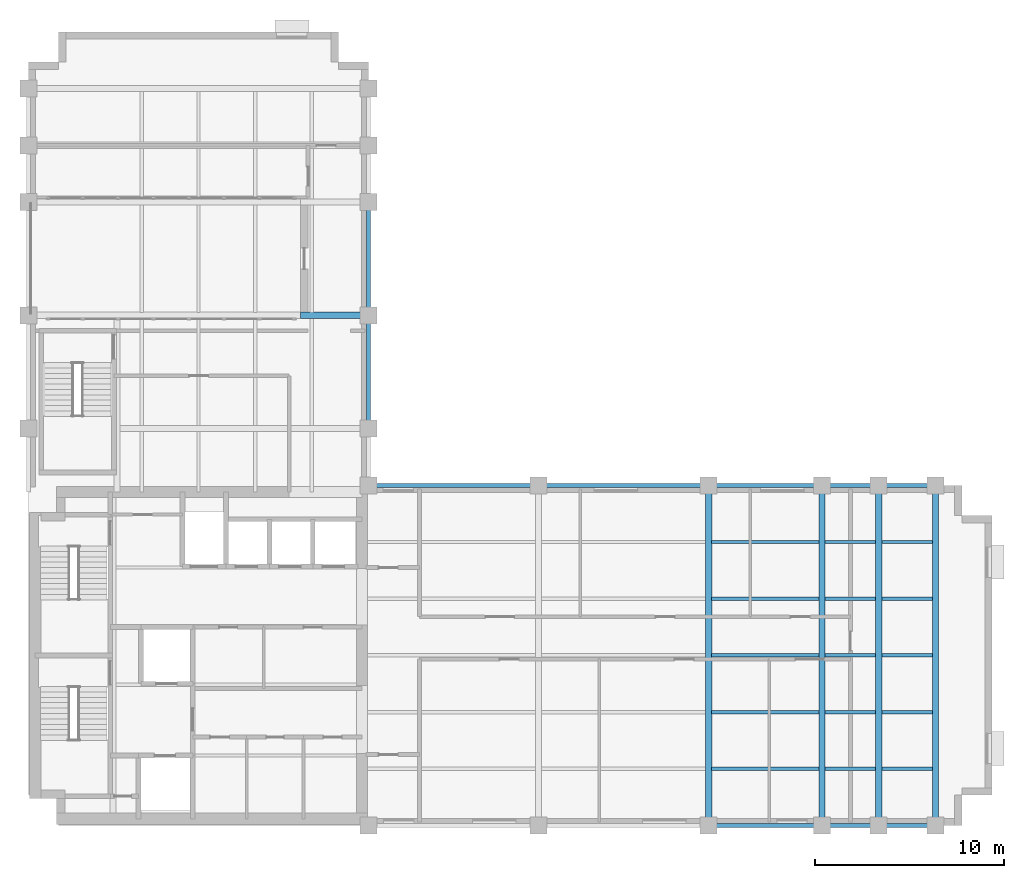
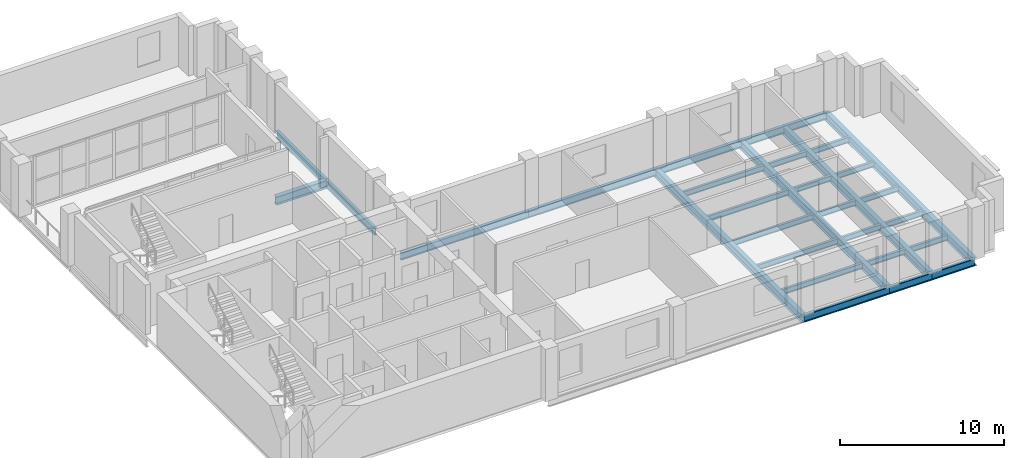
# One storey, part 5 of 11: 30 beams.
"""IFC4 building model written with IfcOpenShell, lengths in metres."""

from ifc_helpers import new_model, si_unit, direction, frame, origin, origin_2d, place, context, subcontext, project, spatial, i_section, extrude, material, material_profile, profile_set, type_object, element, save


model = new_model("IFC4")

# Units and contexts
model_context = context("Model", 3, precision=1e-05, world=origin(), true_north=direction((0.0, 1.0)))
body_context = subcontext(model_context, "Body", "Model", "MODEL_VIEW")
ifc_project = project(units=[si_unit("LENGTHUNIT", "METRE"), si_unit("AREAUNIT", "SQUARE_METRE"), si_unit("VOLUMEUNIT", "CUBIC_METRE"), si_unit("PLANEANGLEUNIT", "RADIAN"), si_unit("MASSUNIT", "GRAM", prefix="KILO")], contexts=[model_context])

# Site, building, storey
site_placement = place(None, origin())
site = spatial("IfcSite", under=ifc_project, at=site_placement, CompositionType="ELEMENT")
building_placement = place(site_placement, origin())
building = spatial("IfcBuilding", under=site, at=building_placement, Name="Mawjdan Bourse Tower", CompositionType="ELEMENT")
storey_placement = place(building_placement, frame((0.0, 0.0, 191.699951171875)))
storey = spatial("IfcBuildingStorey", under=building, at=storey_placement, Name="L46", CompositionType="ELEMENT", Elevation=191.699951171875)

# Beams
ifc_material = material(Name="Structural Steel S355", Category="steel")
ifc_material_profile_1 = material_profile(ifc_material, i_section(OverallWidth=0.324951171875, OverallDepth=0.616943359375, WebThickness=0.013916015625, FlangeThickness=0.021484375, FilletRadius=0.017333984375, at=origin_2d()), Name="W24X117")
ifc_profile_set_1 = profile_set([ifc_material_profile_1], Name="Structural Steel S355")
beam_type_1 = type_object("IfcBeamType", Name="GRD-W24X117", PredefinedType="BEAM", material=ifc_profile_set_1)
for number, where, z_axis, x_axis, name in (
    (1, (42.0, 3.0, -0.508544921875), (0.0, 1.0, 0.0), (-1.0, 0.0, 0.0), "L46 East Wing Clear-Span Girder 003"),
    (2, (48.0, 3.0, -0.508544921875), (0.0, 1.0, 0.0), (-1.0, 0.0, 0.0), "L46 East Wing Clear-Span Girder 004"),
    (3, (51.0, 3.0, -0.508544921875), (0.0, 1.0, 0.0), (-1.0, 0.0, 0.0), "L46 East Wing Clear-Span Girder 005"),
    (4, (54.0, 3.0, -0.508544921875), (0.0, 1.0, 0.0), (-1.0, 0.0, 0.0), "L46 East Wing Clear-Span Girder 006"),
):
    element("IfcBeam", number, at=place(storey_placement, frame(where, z_axis=z_axis, x_axis=x_axis)), inside=storey, type_object=beam_type_1, Name=name, PredefinedType="BEAM", context=body_context, shape_type="SweptSolid", body=[
        extrude(i_section(OverallWidth=0.324951171875, OverallDepth=0.616943359375, WebThickness=0.013916015625, FlangeThickness=0.021484375, FilletRadius=0.017333984375, at=origin_2d()), origin(), (0.0, 0.0, 1.0), 18.0),
    ])
beam_1_placement = place(storey_placement, frame((20.39990234375, 30.0, -0.508544921875), z_axis=(1.0, 0.0, 0.0), x_axis=(0.0, 1.0, 0.0)))
element("IfcBeam", 5, at=beam_1_placement, inside=storey, type_object=beam_type_1, Name="L46 North Wing Clear-Span Girder 049", PredefinedType="BEAM", context=body_context, shape_type="SweptSolid", body=[
    extrude(i_section(OverallWidth=0.324951171875, OverallDepth=0.616943359375, WebThickness=0.013916015625, FlangeThickness=0.021484375, FilletRadius=0.017333984375, at=origin_2d()), origin(), (0.0, 0.0, 1.0), 3.60009765625),
])
ifc_material_profile_2 = material_profile(ifc_material, i_section(OverallWidth=0.177978515625, OverallDepth=0.406982421875, WebThickness=0.0078125, FlangeThickness=0.0126953125, FilletRadius=0.01025390625, at=origin_2d()), Name="W16X40")
ifc_profile_set_2 = profile_set([ifc_material_profile_2], Name="Structural Steel S355")
beam_type_2 = type_object("IfcBeamType", Name="JST-W16X40", PredefinedType="JOIST", material=ifc_profile_set_2)
beam_2_placement = place(storey_placement, frame((42.160400390625, 6.0, -0.403564453125), z_axis=(1.0, 0.0, 0.0), x_axis=(0.0, 1.0, 0.0)))
element("IfcBeam", 6, at=beam_2_placement, inside=storey, type_object=beam_type_2, Name="L46 East Wing Composite Joist 019", PredefinedType="JOIST", context=body_context, shape_type="SweptSolid", body=[
    extrude(i_section(OverallWidth=0.177978515625, OverallDepth=0.406982421875, WebThickness=0.0078125, FlangeThickness=0.0126953125, FilletRadius=0.01025390625, at=origin_2d()), origin(), (0.0, 0.0, 1.0), 5.67919921875),
])
for number, where, z_axis, x_axis, name in (
    (7, (48.160400390625, 6.0, -0.403564453125), (1.0, 0.0, 0.0), (0.0, 1.0, 0.0), "L46 East Wing Composite Joist 020"),
    (8, (51.160400390625, 6.0, -0.403564453125), (1.0, 0.0, 0.0), (0.0, 1.0, 0.0), "L46 East Wing Composite Joist 021"),
):
    element("IfcBeam", number, at=place(storey_placement, frame(where, z_axis=z_axis, x_axis=x_axis)), inside=storey, type_object=beam_type_2, Name=name, PredefinedType="JOIST", context=body_context, shape_type="SweptSolid", body=[
        extrude(i_section(OverallWidth=0.177978515625, OverallDepth=0.406982421875, WebThickness=0.0078125, FlangeThickness=0.0126953125, FilletRadius=0.01025390625, at=origin_2d()), origin(), (0.0, 0.0, 1.0), 2.67919921875),
    ])
beam_3_placement = place(storey_placement, frame((42.160400390625, 9.0, -0.403564453125), z_axis=(1.0, 0.0, 0.0), x_axis=(0.0, 1.0, 0.0)))
element("IfcBeam", 9, at=beam_3_placement, inside=storey, type_object=beam_type_2, Name="L46 East Wing Composite Joist 024", PredefinedType="JOIST", context=body_context, shape_type="SweptSolid", body=[
    extrude(i_section(OverallWidth=0.177978515625, OverallDepth=0.406982421875, WebThickness=0.0078125, FlangeThickness=0.0126953125, FilletRadius=0.01025390625, at=origin_2d()), origin(), (0.0, 0.0, 1.0), 5.67919921875),
])
for number, where, z_axis, x_axis, name in (
    (10, (48.160400390625, 9.0, -0.403564453125), (1.0, 0.0, 0.0), (0.0, 1.0, 0.0), "L46 East Wing Composite Joist 025"),
    (11, (51.160400390625, 9.0, -0.403564453125), (1.0, 0.0, 0.0), (0.0, 1.0, 0.0), "L46 East Wing Composite Joist 026"),
):
    element("IfcBeam", number, at=place(storey_placement, frame(where, z_axis=z_axis, x_axis=x_axis)), inside=storey, type_object=beam_type_2, Name=name, PredefinedType="JOIST", context=body_context, shape_type="SweptSolid", body=[
        extrude(i_section(OverallWidth=0.177978515625, OverallDepth=0.406982421875, WebThickness=0.0078125, FlangeThickness=0.0126953125, FilletRadius=0.01025390625, at=origin_2d()), origin(), (0.0, 0.0, 1.0), 2.67919921875),
    ])
beam_4_placement = place(storey_placement, frame((42.160400390625, 12.0, -0.403564453125), z_axis=(1.0, 0.0, 0.0), x_axis=(0.0, 1.0, 0.0)))
element("IfcBeam", 12, at=beam_4_placement, inside=storey, type_object=beam_type_2, Name="L46 East Wing Composite Joist 029", PredefinedType="JOIST", context=body_context, shape_type="SweptSolid", body=[
    extrude(i_section(OverallWidth=0.177978515625, OverallDepth=0.406982421875, WebThickness=0.0078125, FlangeThickness=0.0126953125, FilletRadius=0.01025390625, at=origin_2d()), origin(), (0.0, 0.0, 1.0), 5.67919921875),
])
for number, where, z_axis, x_axis, name in (
    (13, (48.160400390625, 12.0, -0.403564453125), (1.0, 0.0, 0.0), (0.0, 1.0, 0.0), "L46 East Wing Composite Joist 030"),
    (14, (51.160400390625, 12.0, -0.403564453125), (1.0, 0.0, 0.0), (0.0, 1.0, 0.0), "L46 East Wing Composite Joist 031"),
):
    element("IfcBeam", number, at=place(storey_placement, frame(where, z_axis=z_axis, x_axis=x_axis)), inside=storey, type_object=beam_type_2, Name=name, PredefinedType="JOIST", context=body_context, shape_type="SweptSolid", body=[
        extrude(i_section(OverallWidth=0.177978515625, OverallDepth=0.406982421875, WebThickness=0.0078125, FlangeThickness=0.0126953125, FilletRadius=0.01025390625, at=origin_2d()), origin(), (0.0, 0.0, 1.0), 2.67919921875),
    ])
beam_5_placement = place(storey_placement, frame((42.160400390625, 15.0, -0.403564453125), z_axis=(1.0, 0.0, 0.0), x_axis=(0.0, 1.0, 0.0)))
element("IfcBeam", 15, at=beam_5_placement, inside=storey, type_object=beam_type_2, Name="L46 East Wing Composite Joist 034", PredefinedType="JOIST", context=body_context, shape_type="SweptSolid", body=[
    extrude(i_section(OverallWidth=0.177978515625, OverallDepth=0.406982421875, WebThickness=0.0078125, FlangeThickness=0.0126953125, FilletRadius=0.01025390625, at=origin_2d()), origin(), (0.0, 0.0, 1.0), 5.67919921875),
])
for number, where, z_axis, x_axis, name in (
    (16, (48.160400390625, 15.0, -0.403564453125), (1.0, 0.0, 0.0), (0.0, 1.0, 0.0), "L46 East Wing Composite Joist 035"),
    (17, (51.160400390625, 15.0, -0.403564453125), (1.0, 0.0, 0.0), (0.0, 1.0, 0.0), "L46 East Wing Composite Joist 036"),
):
    element("IfcBeam", number, at=place(storey_placement, frame(where, z_axis=z_axis, x_axis=x_axis)), inside=storey, type_object=beam_type_2, Name=name, PredefinedType="JOIST", context=body_context, shape_type="SweptSolid", body=[
        extrude(i_section(OverallWidth=0.177978515625, OverallDepth=0.406982421875, WebThickness=0.0078125, FlangeThickness=0.0126953125, FilletRadius=0.01025390625, at=origin_2d()), origin(), (0.0, 0.0, 1.0), 2.67919921875),
    ])
beam_6_placement = place(storey_placement, frame((42.160400390625, 18.0, -0.403564453125), z_axis=(1.0, 0.0, 0.0), x_axis=(0.0, 1.0, 0.0)))
element("IfcBeam", 18, at=beam_6_placement, inside=storey, type_object=beam_type_2, Name="L46 East Wing Composite Joist 039", PredefinedType="JOIST", context=body_context, shape_type="SweptSolid", body=[
    extrude(i_section(OverallWidth=0.177978515625, OverallDepth=0.406982421875, WebThickness=0.0078125, FlangeThickness=0.0126953125, FilletRadius=0.01025390625, at=origin_2d()), origin(), (0.0, 0.0, 1.0), 5.67919921875),
])
for number, where, z_axis, x_axis, name in (
    (19, (48.160400390625, 18.0, -0.403564453125), (1.0, 0.0, 0.0), (0.0, 1.0, 0.0), "L46 East Wing Composite Joist 040"),
    (20, (51.160400390625, 18.0, -0.403564453125), (1.0, 0.0, 0.0), (0.0, 1.0, 0.0), "L46 East Wing Composite Joist 041"),
):
    element("IfcBeam", number, at=place(storey_placement, frame(where, z_axis=z_axis, x_axis=x_axis)), inside=storey, type_object=beam_type_2, Name=name, PredefinedType="JOIST", context=body_context, shape_type="SweptSolid", body=[
        extrude(i_section(OverallWidth=0.177978515625, OverallDepth=0.406982421875, WebThickness=0.0078125, FlangeThickness=0.0126953125, FilletRadius=0.01025390625, at=origin_2d()), origin(), (0.0, 0.0, 1.0), 2.67919921875),
    ])
ifc_material_profile_3 = material_profile(ifc_material, i_section(OverallWidth=0.2119140625, OverallDepth=0.5439453125, WebThickness=0.01318359375, FlangeThickness=0.021240234375, FilletRadius=0.01708984375, at=origin_2d()), Name="W21X83")
ifc_profile_set_3 = profile_set([ifc_material_profile_3], Name="Structural Steel S355")
beam_type_3 = type_object("IfcBeamType", Name="SPN-W21X83", PredefinedType="SPANDREL", material=ifc_profile_set_3)
beam_7_placement = place(storey_placement, frame((42.0, 3.0, -0.471923828125), z_axis=(1.0, 0.0, 0.0), x_axis=(0.0, 1.0, 0.0)))
element("IfcBeam", 21, at=beam_7_placement, inside=storey, type_object=beam_type_3, Name="L46 Perimeter Masonry-Shelf Spandrel 009", PredefinedType="SPANDREL", context=body_context, shape_type="SweptSolid", body=[
    extrude(i_section(OverallWidth=0.2119140625, OverallDepth=0.5439453125, WebThickness=0.01318359375, FlangeThickness=0.021240234375, FilletRadius=0.01708984375, at=origin_2d()), origin(), (0.0, 0.0, 1.0), 6.0),
])
for number, where, z_axis, x_axis, name in (
    (22, (48.0, 3.0, -0.471923828125), (1.0, 0.0, 0.0), (0.0, 1.0, 0.0), "L46 Perimeter Masonry-Shelf Spandrel 010"),
    (23, (51.0, 3.0, -0.471923828125), (1.0, 0.0, 0.0), (0.0, 1.0, 0.0), "L46 Perimeter Masonry-Shelf Spandrel 011"),
):
    element("IfcBeam", number, at=place(storey_placement, frame(where, z_axis=z_axis, x_axis=x_axis)), inside=storey, type_object=beam_type_3, Name=name, PredefinedType="SPANDREL", context=body_context, shape_type="SweptSolid", body=[
        extrude(i_section(OverallWidth=0.2119140625, OverallDepth=0.5439453125, WebThickness=0.01318359375, FlangeThickness=0.021240234375, FilletRadius=0.01708984375, at=origin_2d()), origin(), (0.0, 0.0, 1.0), 3.0),
    ])
for number, where, z_axis, x_axis, name in (
    (24, (24.0, 21.0, -0.471923828125), (1.0, 0.0, 0.0), (0.0, 1.0, 0.0), "L46 Perimeter Masonry-Shelf Spandrel 012"),
    (25, (33.0, 21.0, -0.471923828125), (1.0, 0.0, 0.0), (0.0, 1.0, 0.0), "L46 Perimeter Masonry-Shelf Spandrel 013"),
):
    element("IfcBeam", number, at=place(storey_placement, frame(where, z_axis=z_axis, x_axis=x_axis)), inside=storey, type_object=beam_type_3, Name=name, PredefinedType="SPANDREL", context=body_context, shape_type="SweptSolid", body=[
        extrude(i_section(OverallWidth=0.2119140625, OverallDepth=0.5439453125, WebThickness=0.01318359375, FlangeThickness=0.021240234375, FilletRadius=0.01708984375, at=origin_2d()), origin(), (0.0, 0.0, 1.0), 9.0),
    ])
beam_8_placement = place(storey_placement, frame((42.0, 21.0, -0.471923828125), z_axis=(1.0, 0.0, 0.0), x_axis=(0.0, 1.0, 0.0)))
element("IfcBeam", 26, at=beam_8_placement, inside=storey, type_object=beam_type_3, Name="L46 Perimeter Masonry-Shelf Spandrel 014", PredefinedType="SPANDREL", context=body_context, shape_type="SweptSolid", body=[
    extrude(i_section(OverallWidth=0.2119140625, OverallDepth=0.5439453125, WebThickness=0.01318359375, FlangeThickness=0.021240234375, FilletRadius=0.01708984375, at=origin_2d()), origin(), (0.0, 0.0, 1.0), 6.0),
])
for number, where, z_axis, x_axis, name in (
    (27, (48.0, 21.0, -0.471923828125), (1.0, 0.0, 0.0), (0.0, 1.0, 0.0), "L46 Perimeter Masonry-Shelf Spandrel 015"),
    (28, (51.0, 21.0, -0.471923828125), (1.0, 0.0, 0.0), (0.0, 1.0, 0.0), "L46 Perimeter Masonry-Shelf Spandrel 016"),
):
    element("IfcBeam", number, at=place(storey_placement, frame(where, z_axis=z_axis, x_axis=x_axis)), inside=storey, type_object=beam_type_3, Name=name, PredefinedType="SPANDREL", context=body_context, shape_type="SweptSolid", body=[
        extrude(i_section(OverallWidth=0.2119140625, OverallDepth=0.5439453125, WebThickness=0.01318359375, FlangeThickness=0.021240234375, FilletRadius=0.01708984375, at=origin_2d()), origin(), (0.0, 0.0, 1.0), 3.0),
    ])
for number, where, z_axis, x_axis, name in (
    (29, (24.0, 24.0, -0.471923828125), (0.0, 1.0, 0.0), (-1.0, 0.0, 0.0), "L46 North Wing Spandrel 060"),
    (30, (24.0, 30.0, -0.471923828125), (0.0, 1.0, 0.0), (-1.0, 0.0, 0.0), "L46 North Wing Spandrel 061"),
):
    element("IfcBeam", number, at=place(storey_placement, frame(where, z_axis=z_axis, x_axis=x_axis)), inside=storey, type_object=beam_type_3, Name=name, PredefinedType="SPANDREL", context=body_context, shape_type="SweptSolid", body=[
        extrude(i_section(OverallWidth=0.2119140625, OverallDepth=0.5439453125, WebThickness=0.01318359375, FlangeThickness=0.021240234375, FilletRadius=0.01708984375, at=origin_2d()), origin(), (0.0, 0.0, 1.0), 6.0),
    ])

save(model, "model.ifc")
